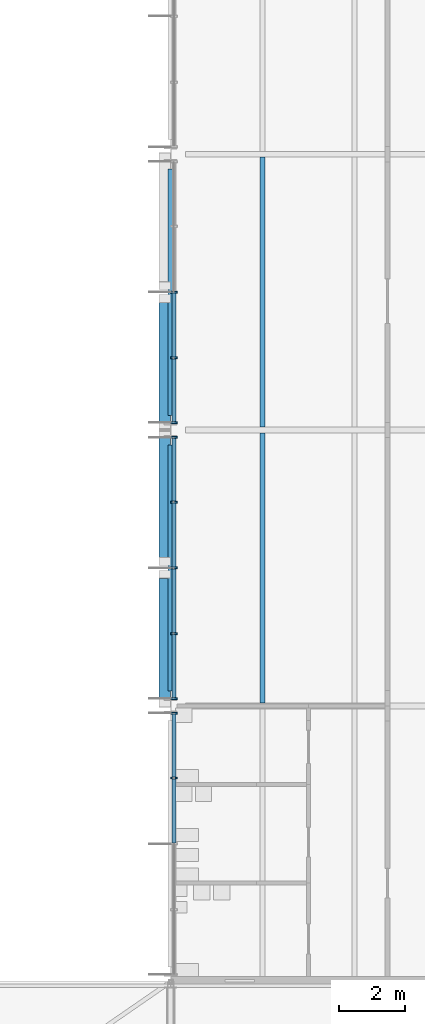
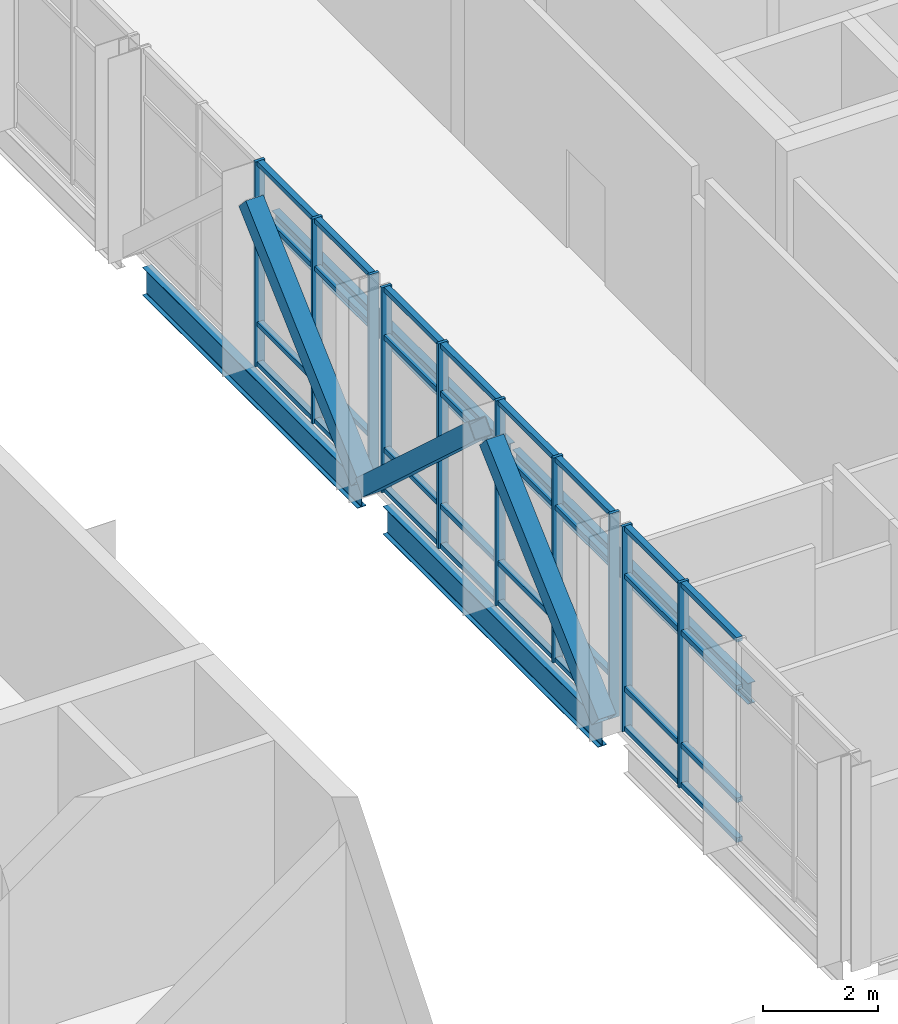
# One storey, part 26 of 89: 45 members, 4 beams, 3 elements without a shape of their own.
"""IFC4 building model written with IfcOpenShell, lengths in metres."""

from ifc_helpers import new_model, si_unit, direction, frame, origin, origin_2d, place, context, subcontext, project, spatial, rectangle, hollow_rectangle, i_section, extrude, material, material_profile, profile_set, type_object, element, aggregate, save


model = new_model("IFC4")

# Units and contexts
model_context = context("Model", 3, precision=1e-05, world=origin(), true_north=direction((0.0, 1.0)))
body_context = subcontext(model_context, "Body", "Model", "MODEL_VIEW")
ifc_project = project(units=[si_unit("LENGTHUNIT", "METRE"), si_unit("AREAUNIT", "SQUARE_METRE"), si_unit("VOLUMEUNIT", "CUBIC_METRE"), si_unit("PLANEANGLEUNIT", "RADIAN"), si_unit("MASSUNIT", "GRAM", prefix="KILO")], contexts=[model_context])

# Site, building, storey
site_placement = place(None, origin())
site = spatial("IfcSite", under=ifc_project, at=site_placement, CompositionType="ELEMENT")
building_placement = place(site_placement, origin())
building = spatial("IfcBuilding", under=site, at=building_placement, Name="Hlaing Beacon Police Headquarters", CompositionType="ELEMENT")
storey_placement = place(building_placement, frame((0.0, 0.0, 9.89990234375)))
storey = spatial("IfcBuildingStorey", under=building, at=storey_placement, Name="L02", CompositionType="ELEMENT", Elevation=9.89990234375)

# Members
ifc_material_1 = material(Name="Steel ASTM A500 Grade C", Category="steel")
ifc_material_profile_1 = material_profile(ifc_material_1, hollow_rectangle(XDim=0.355712890625, YDim=0.355712890625, WallThickness=0.015869140625, at=origin_2d()), Name="HSS14x14x5/8")
ifc_profile_set_1 = profile_set([ifc_material_profile_1], Name="Steel ASTM A500 Grade C")
member_type_1 = type_object("IfcMemberType", Name="Chevron brace HSS14x14x5/8", PredefinedType="BRACE", material=ifc_profile_set_1)
for number, where, z_axis, x_axis, name in (
    (1, (100.6181640625, 42.077880859375, 0.131103515625), (0.0, 0.738028812002, 0.674769199545), (-1.0, 0.0, 0.0), "STR-BR-L02-N6a"),
    (2, (100.6181640625, 50.322021484375, 0.131103515625), (0.0, -0.738028812002, 0.674769199545), (1.0, 0.0, 0.0), "STR-BR-L02-N6b"),
    (3, (100.6181640625, 50.47802734375, 0.131103515625), (0.0, 0.738007893761, 0.67479207816), (-1.0, 0.0, 0.0), "STR-BR-L02-N7a"),
):
    element("IfcMember", number, at=place(storey_placement, frame(where, z_axis=z_axis, x_axis=x_axis)), inside=storey, type_object=member_type_1, Name=name, PredefinedType="BRACE", context=body_context, shape_type="SweptSolid", body=[
        extrude(hollow_rectangle(XDim=0.355712890625, YDim=0.355712890625, WallThickness=0.015869140625, at=origin_2d()), origin(), (0.0, 0.0, 1.0), 5.314208984375),
    ])

# Beams
ifc_material_2 = material(Name="Steel ASTM A992 Grade 50", Category="steel")
ifc_material_profile_2 = material_profile(ifc_material_2, i_section(OverallWidth=0.177978515625, OverallDepth=0.599365234375, WebThickness=0.010009765625, FlangeThickness=0.012939453125, FilletRadius=0.012939453125, at=origin_2d()), Name="W24x55")
ifc_profile_set_2 = profile_set([ifc_material_profile_2], Name="Steel ASTM A992 Grade 50")
beam_type_1 = type_object("IfcBeamType", Name="Girder W24x55", PredefinedType="BEAM", material=ifc_profile_set_2)
for number, where, z_axis, x_axis, name in (
    (4, (100.800048828125, 42.449951171875, -0.4296875), (0.0, 1.0, 0.0), (-1.0, 0.0, 0.0), "STR-BM-L02-GY-N6-N7"),
    (5, (100.800048828125, 50.85009765625, -0.4296875), (0.0, 1.0, 0.0), (-1.0, 0.0, 0.0), "STR-BM-L02-GY-N7-N8"),
):
    element("IfcBeam", number, at=place(storey_placement, frame(where, z_axis=z_axis, x_axis=x_axis)), inside=storey, type_object=beam_type_1, Name=name, PredefinedType="BEAM", context=body_context, shape_type="SweptSolid", body=[
        extrude(i_section(OverallWidth=0.177978515625, OverallDepth=0.599365234375, WebThickness=0.010009765625, FlangeThickness=0.012939453125, FilletRadius=0.012939453125, at=origin_2d()), origin(), (0.0, 0.0, 1.0), 7.5),
    ])

# Curtain wall, members
ifc_material_3 = material(Name="Aluminium frame with solar control glazing", Category="aluminium")
curtain_wall_type_1 = type_object("IfcCurtainWallType", Name="Unitised curtain wall 8.01 x 4.37", PredefinedType="NOTDEFINED", material=ifc_material_3)
curtain_wall_1_placement = place(storey_placement, origin())
curtain_wall_1 = element("IfcCurtainWall", 6, at=curtain_wall_1_placement, inside=storey, type_object=curtain_wall_type_1, Name="ENV-CW-L02-W031", PredefinedType="NOTDEFINED")
ifc_material_4 = material(Name="Aluminium", Category="aluminium")
ifc_material_profile_3 = material_profile(ifc_material_4, rectangle(XDim=0.199951171875, YDim=0.06005859375, at=origin_2d()), Name="Mullion 60x200")
ifc_profile_set_3 = profile_set([ifc_material_profile_3], Name="Aluminium")
member_type_2 = type_object("IfcMemberType", Name="Mullion 60x200", PredefinedType="MULLION", material=ifc_profile_set_3)
member_1_placement = place(storey_placement, frame((100.89990234375, 54.60009765625, 0.0), z_axis=(0.0, 0.0, 1.0), x_axis=(1.0, 0.0, 0.0)))
member_1 = element("IfcMember", 7, at=member_1_placement, type_object=member_type_2, Name="CW-L02-W031 mullion 3", PredefinedType="MULLION", context=body_context, shape_type="SweptSolid", body=[
    extrude(rectangle(XDim=0.199951171875, YDim=0.06005859375, at=origin_2d()), origin(), (0.0, 0.0, 1.0), 4.3701171875),
])
member_2_placement = place(storey_placement, frame((100.89990234375, 52.596435546875, 0.0), z_axis=(0.0, 0.0, 1.0), x_axis=(1.0, 0.0, 0.0)))
member_2 = element("IfcMember", 8, at=member_2_placement, type_object=member_type_2, Name="CW-L02-W031 mullion 4", PredefinedType="MULLION", context=body_context, shape_type="SweptSolid", body=[
    extrude(rectangle(XDim=0.199951171875, YDim=0.06005859375, at=origin_2d()), origin(), (0.0, 0.0, 1.0), 4.3701171875),
])
member_3_placement = place(storey_placement, frame((100.89990234375, 50.623046875, 0.0), z_axis=(0.0, 0.0, 1.0), x_axis=(1.0, 0.0, 0.0)))
member_3 = element("IfcMember", 9, at=member_3_placement, type_object=member_type_2, Name="CW-L02-W031 mullion 5", PredefinedType="MULLION", context=body_context, shape_type="SweptSolid", body=[
    extrude(rectangle(XDim=0.199951171875, YDim=0.06005859375, at=origin_2d()), origin(), (0.0, 0.0, 1.0), 4.3701171875),
])

curtain_wall_2_placement = place(storey_placement, origin())
curtain_wall_2 = element("IfcCurtainWall", 10, at=curtain_wall_2_placement, inside=storey, type_object=curtain_wall_type_1, Name="ENV-CW-L02-W032", PredefinedType="NOTDEFINED")
member_4_placement = place(storey_placement, frame((100.89990234375, 50.177001953125, 0.0), z_axis=(0.0, 0.0, 1.0), x_axis=(1.0, 0.0, 0.0)))
member_4 = element("IfcMember", 11, at=member_4_placement, type_object=member_type_2, Name="CW-L02-W032 mullion 1", PredefinedType="MULLION", context=body_context, shape_type="SweptSolid", body=[
    extrude(rectangle(XDim=0.199951171875, YDim=0.06005859375, at=origin_2d()), origin(), (0.0, 0.0, 1.0), 4.3701171875),
])
member_5_placement = place(storey_placement, frame((100.89990234375, 48.20361328125, 0.0), z_axis=(0.0, 0.0, 1.0), x_axis=(1.0, 0.0, 0.0)))
member_5 = element("IfcMember", 12, at=member_5_placement, type_object=member_type_2, Name="CW-L02-W032 mullion 2", PredefinedType="MULLION", context=body_context, shape_type="SweptSolid", body=[
    extrude(rectangle(XDim=0.199951171875, YDim=0.06005859375, at=origin_2d()), origin(), (0.0, 0.0, 1.0), 4.3701171875),
])
member_6_placement = place(storey_placement, frame((100.89990234375, 46.199951171875, 0.0), z_axis=(0.0, 0.0, 1.0), x_axis=(1.0, 0.0, 0.0)))
member_6 = element("IfcMember", 13, at=member_6_placement, type_object=member_type_2, Name="CW-L02-W032 mullion 3", PredefinedType="MULLION", context=body_context, shape_type="SweptSolid", body=[
    extrude(rectangle(XDim=0.199951171875, YDim=0.06005859375, at=origin_2d()), origin(), (0.0, 0.0, 1.0), 4.3701171875),
])
member_7_placement = place(storey_placement, frame((100.89990234375, 44.196533203125, 0.0), z_axis=(0.0, 0.0, 1.0), x_axis=(1.0, 0.0, 0.0)))
member_7 = element("IfcMember", 14, at=member_7_placement, type_object=member_type_2, Name="CW-L02-W032 mullion 4", PredefinedType="MULLION", context=body_context, shape_type="SweptSolid", body=[
    extrude(rectangle(XDim=0.199951171875, YDim=0.06005859375, at=origin_2d()), origin(), (0.0, 0.0, 1.0), 4.3701171875),
])
member_8_placement = place(storey_placement, frame((100.89990234375, 42.222900390625, 0.0), z_axis=(0.0, 0.0, 1.0), x_axis=(1.0, 0.0, 0.0)))
member_8 = element("IfcMember", 15, at=member_8_placement, type_object=member_type_2, Name="CW-L02-W032 mullion 5", PredefinedType="MULLION", context=body_context, shape_type="SweptSolid", body=[
    extrude(rectangle(XDim=0.199951171875, YDim=0.06005859375, at=origin_2d()), origin(), (0.0, 0.0, 1.0), 4.3701171875),
])

ifc_material_5 = material(Name="Aluminium frame with solar control glazing", Category="aluminium")
curtain_wall_type_2 = type_object("IfcCurtainWallType", Name="Unitised curtain wall 8.02 x 4.37", PredefinedType="NOTDEFINED", material=ifc_material_5)
curtain_wall_3_placement = place(storey_placement, origin())
curtain_wall_3 = element("IfcCurtainWall", 16, at=curtain_wall_3_placement, inside=storey, type_object=curtain_wall_type_2, Name="ENV-CW-L02-W033", PredefinedType="NOTDEFINED")
member_9_placement = place(storey_placement, frame((100.89990234375, 41.777099609375, 0.0), z_axis=(0.0, 0.0, 1.0), x_axis=(1.0, 0.0, 0.0)))
member_9 = element("IfcMember", 17, at=member_9_placement, type_object=member_type_2, Name="CW-L02-W033 mullion 1", PredefinedType="MULLION", context=body_context, shape_type="SweptSolid", body=[
    extrude(rectangle(XDim=0.199951171875, YDim=0.06005859375, at=origin_2d()), origin(), (0.0, 0.0, 1.0), 4.3701171875),
])
member_10_placement = place(storey_placement, frame((100.89990234375, 39.80224609375, 0.0), z_axis=(0.0, 0.0, 1.0), x_axis=(1.0, 0.0, 0.0)))
member_10 = element("IfcMember", 18, at=member_10_placement, type_object=member_type_2, Name="CW-L02-W033 mullion 2", PredefinedType="MULLION", context=body_context, shape_type="SweptSolid", body=[
    extrude(rectangle(XDim=0.199951171875, YDim=0.06005859375, at=origin_2d()), origin(), (0.0, 0.0, 1.0), 4.3701171875),
])

# Beams
ifc_material_6 = material(Name="Steel ASTM A992 Grade 50", Category="steel")
ifc_material_profile_4 = material_profile(ifc_material_6, i_section(OverallWidth=0.15234375, OverallDepth=0.449462890625, WebThickness=0.007568359375, FlangeThickness=0.0107421875, FilletRadius=0.01025390625, at=origin_2d()), Name="W18x35")
ifc_profile_set_4 = profile_set([ifc_material_profile_4], Name="Steel ASTM A992 Grade 50")
beam_type_2 = type_object("IfcBeamType", Name="Secondary beam W18x35", PredefinedType="BEAM", material=ifc_profile_set_4)
for number, where, z_axis, x_axis, name in (
    (19, (103.60009765625, 42.089111328125, -0.354736328125), (0.0, 1.0, 0.0), (-1.0, 0.0, 0.0), "STR-BM-L02-SB-N6-y1"),
    (20, (103.60009765625, 50.489013671875, -0.354736328125), (0.0, 1.0, 0.0), (-1.0, 0.0, 0.0), "STR-BM-L02-SB-N7-y1"),
):
    element("IfcBeam", number, at=place(storey_placement, frame(where, z_axis=z_axis, x_axis=x_axis)), inside=storey, type_object=beam_type_2, Name=name, PredefinedType="BEAM", context=body_context, shape_type="SweptSolid", body=[
        extrude(i_section(OverallWidth=0.15234375, OverallDepth=0.449462890625, WebThickness=0.007568359375, FlangeThickness=0.0107421875, FilletRadius=0.01025390625, at=origin_2d()), origin(), (0.0, 0.0, 1.0), 8.221923828125),
    ])

# Member
ifc_material_7 = material(Name="Aluminium", Category="aluminium")
ifc_material_profile_5 = material_profile(ifc_material_7, rectangle(XDim=0.1201171875, YDim=0.10009765625, at=origin_2d()), Name="Transom 120x100")
ifc_profile_set_5 = profile_set([ifc_material_profile_5], Name="Aluminium")
member_type_3 = type_object("IfcMemberType", Name="Transom 120x100", PredefinedType="USERDEFINED", material=ifc_profile_set_5)
member_11_placement = place(storey_placement, frame((100.89990234375, 54.570068359375, 0.050048828125), z_axis=(0.0, -1.0, 0.0), x_axis=(1.0, 0.0, 0.0)))
member_11 = element("IfcMember", 21, at=member_11_placement, type_object=member_type_3, Name="CW-L02-W031 transom 3.1", ObjectType="TRANSOM", PredefinedType="USERDEFINED", context=body_context, shape_type="SweptSolid", body=[
    extrude(rectangle(XDim=0.1201171875, YDim=0.10009765625, at=origin_2d()), origin(), (0.0, 0.0, 1.0), 1.943603515625),
])

member_12_placement = place(storey_placement, frame((100.89990234375, 54.570068359375, 0.900146484375), z_axis=(0.0, -1.0, 0.0), x_axis=(1.0, 0.0, 0.0)))
member_12 = element("IfcMember", 22, at=member_12_placement, type_object=member_type_3, Name="CW-L02-W031 transom 3.2", ObjectType="TRANSOM", PredefinedType="USERDEFINED", context=body_context, shape_type="SweptSolid", body=[
    extrude(rectangle(XDim=0.1201171875, YDim=0.10009765625, at=origin_2d()), origin(), (0.0, 0.0, 1.0), 1.943603515625),
])

member_13_placement = place(storey_placement, frame((100.89990234375, 54.570068359375, 3.300048828125), z_axis=(0.0, -1.0, 0.0), x_axis=(1.0, 0.0, 0.0)))
member_13 = element("IfcMember", 23, at=member_13_placement, type_object=member_type_3, Name="CW-L02-W031 transom 3.3", ObjectType="TRANSOM", PredefinedType="USERDEFINED", context=body_context, shape_type="SweptSolid", body=[
    extrude(rectangle(XDim=0.1201171875, YDim=0.10009765625, at=origin_2d()), origin(), (0.0, 0.0, 1.0), 1.943603515625),
])

member_14_placement = place(storey_placement, frame((100.89990234375, 54.570068359375, 4.320068359375), z_axis=(0.0, -1.0, 0.0), x_axis=(1.0, 0.0, 0.0)))
member_14 = element("IfcMember", 24, at=member_14_placement, type_object=member_type_3, Name="CW-L02-W031 transom 3.4", ObjectType="TRANSOM", PredefinedType="USERDEFINED", context=body_context, shape_type="SweptSolid", body=[
    extrude(rectangle(XDim=0.1201171875, YDim=0.10009765625, at=origin_2d()), origin(), (0.0, 0.0, 1.0), 1.943603515625),
])

member_15_placement = place(storey_placement, frame((100.89990234375, 52.56640625, 0.050048828125), z_axis=(0.0, -1.0, 0.0), x_axis=(1.0, 0.0, 0.0)))
member_15 = element("IfcMember", 25, at=member_15_placement, type_object=member_type_3, Name="CW-L02-W031 transom 4.1", ObjectType="TRANSOM", PredefinedType="USERDEFINED", context=body_context, shape_type="SweptSolid", body=[
    extrude(rectangle(XDim=0.1201171875, YDim=0.10009765625, at=origin_2d()), origin(), (0.0, 0.0, 1.0), 1.913330078125),
])

member_16_placement = place(storey_placement, frame((100.89990234375, 52.56640625, 0.900146484375), z_axis=(0.0, -1.0, 0.0), x_axis=(1.0, 0.0, 0.0)))
member_16 = element("IfcMember", 26, at=member_16_placement, type_object=member_type_3, Name="CW-L02-W031 transom 4.2", ObjectType="TRANSOM", PredefinedType="USERDEFINED", context=body_context, shape_type="SweptSolid", body=[
    extrude(rectangle(XDim=0.1201171875, YDim=0.10009765625, at=origin_2d()), origin(), (0.0, 0.0, 1.0), 1.913330078125),
])

member_17_placement = place(storey_placement, frame((100.89990234375, 52.56640625, 3.300048828125), z_axis=(0.0, -1.0, 0.0), x_axis=(1.0, 0.0, 0.0)))
member_17 = element("IfcMember", 27, at=member_17_placement, type_object=member_type_3, Name="CW-L02-W031 transom 4.3", ObjectType="TRANSOM", PredefinedType="USERDEFINED", context=body_context, shape_type="SweptSolid", body=[
    extrude(rectangle(XDim=0.1201171875, YDim=0.10009765625, at=origin_2d()), origin(), (0.0, 0.0, 1.0), 1.913330078125),
])

member_18_placement = place(storey_placement, frame((100.89990234375, 52.56640625, 4.320068359375), z_axis=(0.0, -1.0, 0.0), x_axis=(1.0, 0.0, 0.0)))
member_18 = element("IfcMember", 28, at=member_18_placement, type_object=member_type_3, Name="CW-L02-W031 transom 4.4", ObjectType="TRANSOM", PredefinedType="USERDEFINED", context=body_context, shape_type="SweptSolid", body=[
    extrude(rectangle(XDim=0.1201171875, YDim=0.10009765625, at=origin_2d()), origin(), (0.0, 0.0, 1.0), 1.913330078125),
])

aggregate(curtain_wall_1, [member_1, member_2, member_3, member_11, member_12, member_13, member_14, member_15, member_16, member_17, member_18])

member_19_placement = place(storey_placement, frame((100.89990234375, 50.14697265625, 0.050048828125), z_axis=(0.0, -1.0, 0.0), x_axis=(1.0, 0.0, 0.0)))
member_19 = element("IfcMember", 29, at=member_19_placement, type_object=member_type_3, Name="CW-L02-W032 transom 1.1", ObjectType="TRANSOM", PredefinedType="USERDEFINED", context=body_context, shape_type="SweptSolid", body=[
    extrude(rectangle(XDim=0.1201171875, YDim=0.10009765625, at=origin_2d()), origin(), (0.0, 0.0, 1.0), 1.91357421875),
])

member_20_placement = place(storey_placement, frame((100.89990234375, 50.14697265625, 0.900146484375), z_axis=(0.0, -1.0, 0.0), x_axis=(1.0, 0.0, 0.0)))
member_20 = element("IfcMember", 30, at=member_20_placement, type_object=member_type_3, Name="CW-L02-W032 transom 1.2", ObjectType="TRANSOM", PredefinedType="USERDEFINED", context=body_context, shape_type="SweptSolid", body=[
    extrude(rectangle(XDim=0.1201171875, YDim=0.10009765625, at=origin_2d()), origin(), (0.0, 0.0, 1.0), 1.91357421875),
])

member_21_placement = place(storey_placement, frame((100.89990234375, 50.14697265625, 3.300048828125), z_axis=(0.0, -1.0, 0.0), x_axis=(1.0, 0.0, 0.0)))
member_21 = element("IfcMember", 31, at=member_21_placement, type_object=member_type_3, Name="CW-L02-W032 transom 1.3", ObjectType="TRANSOM", PredefinedType="USERDEFINED", context=body_context, shape_type="SweptSolid", body=[
    extrude(rectangle(XDim=0.1201171875, YDim=0.10009765625, at=origin_2d()), origin(), (0.0, 0.0, 1.0), 1.91357421875),
])

member_22_placement = place(storey_placement, frame((100.89990234375, 50.14697265625, 4.320068359375), z_axis=(0.0, -1.0, 0.0), x_axis=(1.0, 0.0, 0.0)))
member_22 = element("IfcMember", 32, at=member_22_placement, type_object=member_type_3, Name="CW-L02-W032 transom 1.4", ObjectType="TRANSOM", PredefinedType="USERDEFINED", context=body_context, shape_type="SweptSolid", body=[
    extrude(rectangle(XDim=0.1201171875, YDim=0.10009765625, at=origin_2d()), origin(), (0.0, 0.0, 1.0), 1.91357421875),
])

member_23_placement = place(storey_placement, frame((100.89990234375, 48.173583984375, 0.050048828125), z_axis=(0.0, -1.0, 0.0), x_axis=(1.0, 0.0, 0.0)))
member_23 = element("IfcMember", 33, at=member_23_placement, type_object=member_type_3, Name="CW-L02-W032 transom 2.1", ObjectType="TRANSOM", PredefinedType="USERDEFINED", context=body_context, shape_type="SweptSolid", body=[
    extrude(rectangle(XDim=0.1201171875, YDim=0.10009765625, at=origin_2d()), origin(), (0.0, 0.0, 1.0), 1.943603515625),
])

member_24_placement = place(storey_placement, frame((100.89990234375, 48.173583984375, 0.900146484375), z_axis=(0.0, -1.0, 0.0), x_axis=(1.0, 0.0, 0.0)))
member_24 = element("IfcMember", 34, at=member_24_placement, type_object=member_type_3, Name="CW-L02-W032 transom 2.2", ObjectType="TRANSOM", PredefinedType="USERDEFINED", context=body_context, shape_type="SweptSolid", body=[
    extrude(rectangle(XDim=0.1201171875, YDim=0.10009765625, at=origin_2d()), origin(), (0.0, 0.0, 1.0), 1.943603515625),
])

member_25_placement = place(storey_placement, frame((100.89990234375, 48.173583984375, 3.300048828125), z_axis=(0.0, -1.0, 0.0), x_axis=(1.0, 0.0, 0.0)))
member_25 = element("IfcMember", 35, at=member_25_placement, type_object=member_type_3, Name="CW-L02-W032 transom 2.3", ObjectType="TRANSOM", PredefinedType="USERDEFINED", context=body_context, shape_type="SweptSolid", body=[
    extrude(rectangle(XDim=0.1201171875, YDim=0.10009765625, at=origin_2d()), origin(), (0.0, 0.0, 1.0), 1.943603515625),
])

member_26_placement = place(storey_placement, frame((100.89990234375, 48.173583984375, 4.320068359375), z_axis=(0.0, -1.0, 0.0), x_axis=(1.0, 0.0, 0.0)))
member_26 = element("IfcMember", 36, at=member_26_placement, type_object=member_type_3, Name="CW-L02-W032 transom 2.4", ObjectType="TRANSOM", PredefinedType="USERDEFINED", context=body_context, shape_type="SweptSolid", body=[
    extrude(rectangle(XDim=0.1201171875, YDim=0.10009765625, at=origin_2d()), origin(), (0.0, 0.0, 1.0), 1.943603515625),
])

member_27_placement = place(storey_placement, frame((100.89990234375, 46.169921875, 0.050048828125), z_axis=(0.0, -1.0, 0.0), x_axis=(1.0, 0.0, 0.0)))
member_27 = element("IfcMember", 37, at=member_27_placement, type_object=member_type_3, Name="CW-L02-W032 transom 3.1", ObjectType="TRANSOM", PredefinedType="USERDEFINED", context=body_context, shape_type="SweptSolid", body=[
    extrude(rectangle(XDim=0.1201171875, YDim=0.10009765625, at=origin_2d()), origin(), (0.0, 0.0, 1.0), 1.943359375),
])

member_28_placement = place(storey_placement, frame((100.89990234375, 46.169921875, 0.900146484375), z_axis=(0.0, -1.0, 0.0), x_axis=(1.0, 0.0, 0.0)))
member_28 = element("IfcMember", 38, at=member_28_placement, type_object=member_type_3, Name="CW-L02-W032 transom 3.2", ObjectType="TRANSOM", PredefinedType="USERDEFINED", context=body_context, shape_type="SweptSolid", body=[
    extrude(rectangle(XDim=0.1201171875, YDim=0.10009765625, at=origin_2d()), origin(), (0.0, 0.0, 1.0), 1.943359375),
])

member_29_placement = place(storey_placement, frame((100.89990234375, 46.169921875, 3.300048828125), z_axis=(0.0, -1.0, 0.0), x_axis=(1.0, 0.0, 0.0)))
member_29 = element("IfcMember", 39, at=member_29_placement, type_object=member_type_3, Name="CW-L02-W032 transom 3.3", ObjectType="TRANSOM", PredefinedType="USERDEFINED", context=body_context, shape_type="SweptSolid", body=[
    extrude(rectangle(XDim=0.1201171875, YDim=0.10009765625, at=origin_2d()), origin(), (0.0, 0.0, 1.0), 1.943359375),
])

member_30_placement = place(storey_placement, frame((100.89990234375, 46.169921875, 4.320068359375), z_axis=(0.0, -1.0, 0.0), x_axis=(1.0, 0.0, 0.0)))
member_30 = element("IfcMember", 40, at=member_30_placement, type_object=member_type_3, Name="CW-L02-W032 transom 3.4", ObjectType="TRANSOM", PredefinedType="USERDEFINED", context=body_context, shape_type="SweptSolid", body=[
    extrude(rectangle(XDim=0.1201171875, YDim=0.10009765625, at=origin_2d()), origin(), (0.0, 0.0, 1.0), 1.943359375),
])

member_31_placement = place(storey_placement, frame((100.89990234375, 44.16650390625, 0.050048828125), z_axis=(0.0, -1.0, 0.0), x_axis=(1.0, 0.0, 0.0)))
member_31 = element("IfcMember", 41, at=member_31_placement, type_object=member_type_3, Name="CW-L02-W032 transom 4.1", ObjectType="TRANSOM", PredefinedType="USERDEFINED", context=body_context, shape_type="SweptSolid", body=[
    extrude(rectangle(XDim=0.1201171875, YDim=0.10009765625, at=origin_2d()), origin(), (0.0, 0.0, 1.0), 1.91357421875),
])

member_32_placement = place(storey_placement, frame((100.89990234375, 44.16650390625, 0.900146484375), z_axis=(0.0, -1.0, 0.0), x_axis=(1.0, 0.0, 0.0)))
member_32 = element("IfcMember", 42, at=member_32_placement, type_object=member_type_3, Name="CW-L02-W032 transom 4.2", ObjectType="TRANSOM", PredefinedType="USERDEFINED", context=body_context, shape_type="SweptSolid", body=[
    extrude(rectangle(XDim=0.1201171875, YDim=0.10009765625, at=origin_2d()), origin(), (0.0, 0.0, 1.0), 1.91357421875),
])

member_33_placement = place(storey_placement, frame((100.89990234375, 44.16650390625, 3.300048828125), z_axis=(0.0, -1.0, 0.0), x_axis=(1.0, 0.0, 0.0)))
member_33 = element("IfcMember", 43, at=member_33_placement, type_object=member_type_3, Name="CW-L02-W032 transom 4.3", ObjectType="TRANSOM", PredefinedType="USERDEFINED", context=body_context, shape_type="SweptSolid", body=[
    extrude(rectangle(XDim=0.1201171875, YDim=0.10009765625, at=origin_2d()), origin(), (0.0, 0.0, 1.0), 1.91357421875),
])

member_34_placement = place(storey_placement, frame((100.89990234375, 44.16650390625, 4.320068359375), z_axis=(0.0, -1.0, 0.0), x_axis=(1.0, 0.0, 0.0)))
member_34 = element("IfcMember", 44, at=member_34_placement, type_object=member_type_3, Name="CW-L02-W032 transom 4.4", ObjectType="TRANSOM", PredefinedType="USERDEFINED", context=body_context, shape_type="SweptSolid", body=[
    extrude(rectangle(XDim=0.1201171875, YDim=0.10009765625, at=origin_2d()), origin(), (0.0, 0.0, 1.0), 1.91357421875),
])

aggregate(curtain_wall_2, [member_4, member_5, member_6, member_7, member_8, member_19, member_20, member_21, member_22, member_23, member_24, member_25, member_26, member_27, member_28, member_29, member_30, member_31, member_32, member_33, member_34])

member_35_placement = place(storey_placement, frame((100.89990234375, 41.7470703125, 0.050048828125), z_axis=(0.0, -1.0, 0.0), x_axis=(1.0, 0.0, 0.0)))
member_35 = element("IfcMember", 45, at=member_35_placement, type_object=member_type_3, Name="CW-L02-W033 transom 1.1", ObjectType="TRANSOM", PredefinedType="USERDEFINED", context=body_context, shape_type="SweptSolid", body=[
    extrude(rectangle(XDim=0.1201171875, YDim=0.10009765625, at=origin_2d()), origin(), (0.0, 0.0, 1.0), 1.914794921875),
])

member_36_placement = place(storey_placement, frame((100.89990234375, 41.7470703125, 0.900146484375), z_axis=(0.0, -1.0, 0.0), x_axis=(1.0, 0.0, 0.0)))
member_36 = element("IfcMember", 46, at=member_36_placement, type_object=member_type_3, Name="CW-L02-W033 transom 1.2", ObjectType="TRANSOM", PredefinedType="USERDEFINED", context=body_context, shape_type="SweptSolid", body=[
    extrude(rectangle(XDim=0.1201171875, YDim=0.10009765625, at=origin_2d()), origin(), (0.0, 0.0, 1.0), 1.914794921875),
])

member_37_placement = place(storey_placement, frame((100.89990234375, 41.7470703125, 3.300048828125), z_axis=(0.0, -1.0, 0.0), x_axis=(1.0, 0.0, 0.0)))
member_37 = element("IfcMember", 47, at=member_37_placement, type_object=member_type_3, Name="CW-L02-W033 transom 1.3", ObjectType="TRANSOM", PredefinedType="USERDEFINED", context=body_context, shape_type="SweptSolid", body=[
    extrude(rectangle(XDim=0.1201171875, YDim=0.10009765625, at=origin_2d()), origin(), (0.0, 0.0, 1.0), 1.914794921875),
])

member_38_placement = place(storey_placement, frame((100.89990234375, 41.7470703125, 4.320068359375), z_axis=(0.0, -1.0, 0.0), x_axis=(1.0, 0.0, 0.0)))
member_38 = element("IfcMember", 48, at=member_38_placement, type_object=member_type_3, Name="CW-L02-W033 transom 1.4", ObjectType="TRANSOM", PredefinedType="USERDEFINED", context=body_context, shape_type="SweptSolid", body=[
    extrude(rectangle(XDim=0.1201171875, YDim=0.10009765625, at=origin_2d()), origin(), (0.0, 0.0, 1.0), 1.914794921875),
])

member_39_placement = place(storey_placement, frame((100.89990234375, 39.772216796875, 0.050048828125), z_axis=(0.0, -1.0, 0.0), x_axis=(1.0, 0.0, 0.0)))
member_39 = element("IfcMember", 49, at=member_39_placement, type_object=member_type_3, Name="CW-L02-W033 transom 2.1", ObjectType="TRANSOM", PredefinedType="USERDEFINED", context=body_context, shape_type="SweptSolid", body=[
    extrude(rectangle(XDim=0.1201171875, YDim=0.10009765625, at=origin_2d()), origin(), (0.0, 0.0, 1.0), 1.94482421875),
])

member_40_placement = place(storey_placement, frame((100.89990234375, 39.772216796875, 0.900146484375), z_axis=(0.0, -1.0, 0.0), x_axis=(1.0, 0.0, 0.0)))
member_40 = element("IfcMember", 50, at=member_40_placement, type_object=member_type_3, Name="CW-L02-W033 transom 2.2", ObjectType="TRANSOM", PredefinedType="USERDEFINED", context=body_context, shape_type="SweptSolid", body=[
    extrude(rectangle(XDim=0.1201171875, YDim=0.10009765625, at=origin_2d()), origin(), (0.0, 0.0, 1.0), 1.94482421875),
])

member_41_placement = place(storey_placement, frame((100.89990234375, 39.772216796875, 3.300048828125), z_axis=(0.0, -1.0, 0.0), x_axis=(1.0, 0.0, 0.0)))
member_41 = element("IfcMember", 51, at=member_41_placement, type_object=member_type_3, Name="CW-L02-W033 transom 2.3", ObjectType="TRANSOM", PredefinedType="USERDEFINED", context=body_context, shape_type="SweptSolid", body=[
    extrude(rectangle(XDim=0.1201171875, YDim=0.10009765625, at=origin_2d()), origin(), (0.0, 0.0, 1.0), 1.94482421875),
])

member_42_placement = place(storey_placement, frame((100.89990234375, 39.772216796875, 4.320068359375), z_axis=(0.0, -1.0, 0.0), x_axis=(1.0, 0.0, 0.0)))
member_42 = element("IfcMember", 52, at=member_42_placement, type_object=member_type_3, Name="CW-L02-W033 transom 2.4", ObjectType="TRANSOM", PredefinedType="USERDEFINED", context=body_context, shape_type="SweptSolid", body=[
    extrude(rectangle(XDim=0.1201171875, YDim=0.10009765625, at=origin_2d()), origin(), (0.0, 0.0, 1.0), 1.94482421875),
])

aggregate(curtain_wall_3, [member_9, member_10, member_35, member_36, member_37, member_38, member_39, member_40, member_41, member_42])

save(model, "model.ifc")
